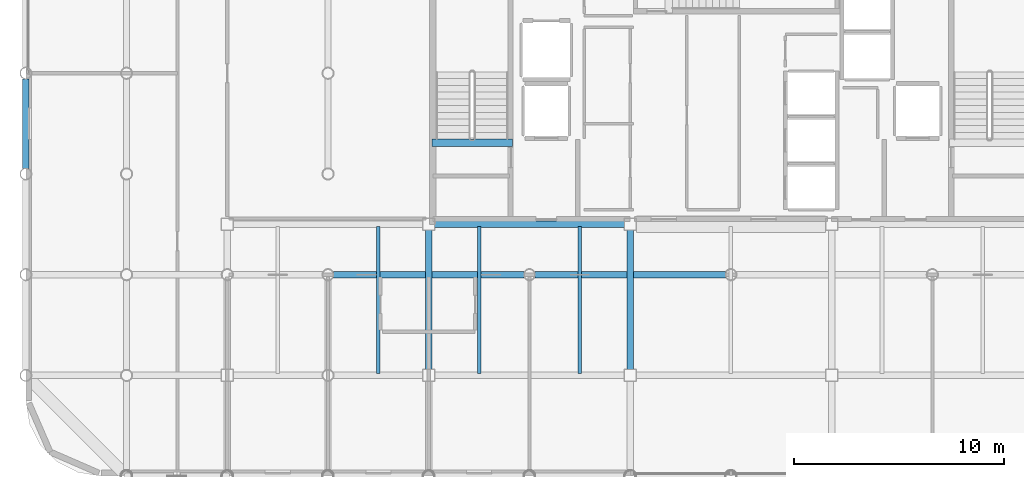
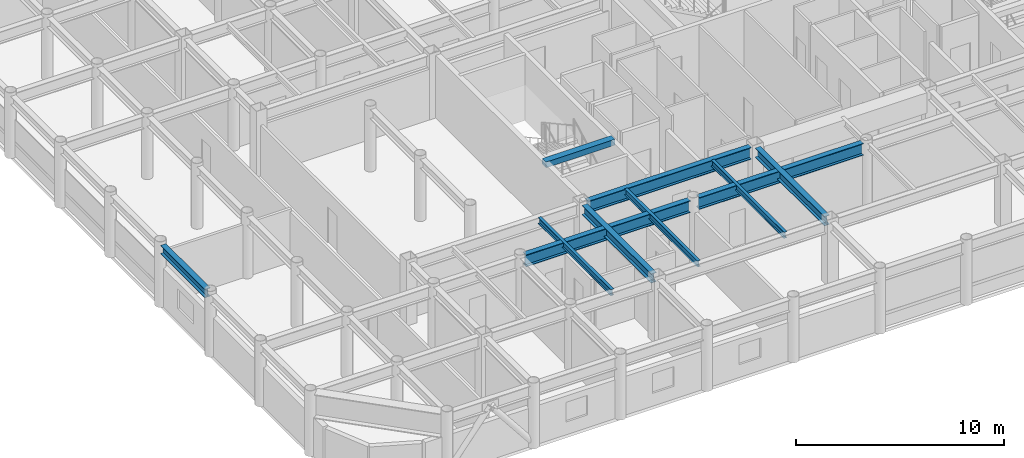
# One storey, part 5 of 22: 10 beams.
"""IFC4 building model written with IfcOpenShell, lengths in metres."""

import ifcopenshell
import ifcopenshell.guid

model = None  # the IFC model being written
_history = None  # IfcOwnerHistory: only IFC2X3 demands one
_inside = {}  # id of a spatial element -> (the spatial element, [elements in it])
_under = {}  # id of a project, library or spatial element -> (it, [spatial elements below it])
_declared = {}  # id of a project -> (the project, [libraries it declares])
_typed = {}  # id of a type object -> (the type object, [elements of that type])
_made_of = {}  # id of a material, layer set ... -> (it, [elements and type objects made of it])


def new_model(schema):
    """Start an empty IFC model of exactly this schema.

    Asked for "IFC4X3", IfcOpenShell would pick the latest addendum, in which some entities
    have other attributes; the version numbers below select the first issue.
    IFC2X3 requires an IfcOwnerHistory on every rooted entity: one is made here for all.
    """
    global model, _history
    if schema == "IFC4X3":
        model = ifcopenshell.file(schema_version=(4, 3, 0, 0))
    else:
        model = ifcopenshell.file(schema=schema)
    _inside.clear()
    _under.clear()
    _declared.clear()
    _typed.clear()
    _made_of.clear()
    _history = None
    if model.schema == "IFC2X3":
        org = make("IfcOrganization", Name="unknown")
        user = make(
            "IfcPersonAndOrganization",
            ThePerson=make("IfcPerson", FamilyName="unknown"),
            TheOrganization=org,
        )
        app = make(
            "IfcApplication",
            ApplicationDeveloper=org,
            Version="unknown",
            ApplicationFullName="unknown",
            ApplicationIdentifier="unknown",
        )
        _history = make(
            "IfcOwnerHistory",
            OwningUser=user,
            OwningApplication=app,
            ChangeAction="ADDED",
            CreationDate=0,
        )
    return model


def make(cls, **values):
    """One entity of the class cls with the attributes given. An attribute that is None is left unset."""
    return model.create_entity(
        cls, **{name: value for name, value in values.items() if value is not None}
    )


def rooted(cls, **values):
    """An entity with a GlobalId (a new one), such as an element, a storey or a relation."""
    return make(cls, GlobalId=ifcopenshell.guid.new(), OwnerHistory=_history, **values)


def si_unit(unit_type, name, prefix=None):
    """IfcSIUnit, for example si_unit("LENGTHUNIT", "METRE", prefix="MILLI")."""
    return make("IfcSIUnit", UnitType=unit_type, Prefix=prefix, Name=name)


def assignment(units):
    """IfcUnitAssignment: the units of a project."""
    return None if units is None else make("IfcUnitAssignment", Units=units)


def point(xyz):
    """IfcCartesianPoint."""
    return None if xyz is None else make("IfcCartesianPoint", Coordinates=xyz)


def direction(xyz):
    """IfcDirection."""
    return None if xyz is None else make("IfcDirection", DirectionRatios=xyz)


def frame(location, z_axis=None, x_axis=None):
    """IfcAxis2Placement3D, a coordinate frame: its origin and axes. An axis left out is left unset."""
    return make(
        "IfcAxis2Placement3D",
        Location=point(location),
        Axis=direction(z_axis),
        RefDirection=direction(x_axis),
    )


def frame_2d(location, x_axis=None):
    """IfcAxis2Placement2D, a coordinate frame in the plane: its origin and x axis."""
    return make(
        "IfcAxis2Placement2D", Location=point(location), RefDirection=direction(x_axis)
    )


def origin():
    """The frame at (0, 0, 0) with its axes left unset."""
    return frame((0.0, 0.0, 0.0))


def origin_2d():
    """The frame at (0, 0) in the plane with its x axis left unset."""
    return frame_2d((0.0, 0.0))


def place(relative_to, where):
    """IfcLocalPlacement: puts the frame where relative to a parent placement (None: the world)."""
    return make(
        "IfcLocalPlacement", PlacementRelTo=relative_to, RelativePlacement=where
    )


def context(
    kind, dimensions, precision=None, world=None, true_north=None, identifier=None
):
    """IfcGeometricRepresentationContext, for example the 3D "Model" context."""
    return make(
        "IfcGeometricRepresentationContext",
        ContextIdentifier=identifier,
        ContextType=kind,
        CoordinateSpaceDimension=dimensions,
        Precision=precision,
        WorldCoordinateSystem=world,
        TrueNorth=true_north,
    )


def subcontext(parent, identifier, kind, view, scale=None):
    """IfcGeometricRepresentationSubContext, for example "Body" below "Model"."""
    return make(
        "IfcGeometricRepresentationSubContext",
        ContextIdentifier=identifier,
        ContextType=kind,
        ParentContext=parent,
        TargetScale=scale,
        TargetView=view,
    )


def project(units=None, contexts=None):
    """IfcProject with its units and contexts."""
    return rooted(
        "IfcProject",
        Name="project",
        RepresentationContexts=contexts,
        UnitsInContext=assignment(units),
    )


def spatial(cls, under=None, at=None, **own):
    """A site, building, storey or space (cls), placed at a placement, below another one or the project."""
    s = rooted(cls, ObjectPlacement=at, **own)
    if under is not None:
        _under.setdefault(under.id(), (under, []))[1].append(s)
    return s


def profile(cls, at=None, kind="AREA", **sizes):
    """A parametric profile (cls). Its sizes go by their IFC names, for example OverallWidth=200.0."""
    return make(cls, ProfileType=kind, Position=at, **sizes)


def rectangle(**sizes):
    """IfcRectangleProfileDef."""
    return profile("IfcRectangleProfileDef", **sizes)


def i_section(**sizes):
    """IfcIShapeProfileDef."""
    return profile("IfcIShapeProfileDef", **sizes)


def extrude(swept, where, along, depth):
    """IfcExtrudedAreaSolid: the profile swept, set in the frame where, extruded along a direction by depth."""
    return make(
        "IfcExtrudedAreaSolid",
        SweptArea=swept,
        Position=where,
        ExtrudedDirection=direction(along),
        Depth=depth,
    )


def shape(context_of_items, identifier, shape_type, items):
    """IfcShapeRepresentation: the items that make up one representation, for example the "Body"."""
    return make(
        "IfcShapeRepresentation",
        ContextOfItems=context_of_items,
        RepresentationIdentifier=identifier,
        RepresentationType=shape_type,
        Items=items,
    )


def material(Name=None, Category=None):
    """IfcMaterial."""
    return make("IfcMaterial", Name=Name, Category=Category)


def material_profile(
    of_material, cross_section, Name=None, Category=None, Priority=None
):
    """IfcMaterialProfile: a cross section and its material."""
    return make(
        "IfcMaterialProfile",
        Name=Name,
        Material=of_material,
        Profile=cross_section,
        Priority=Priority,
        Category=Category,
    )


def profile_set(profiles, Name=None, composite=None):
    """IfcMaterialProfileSet."""
    return make(
        "IfcMaterialProfileSet",
        Name=Name,
        MaterialProfiles=profiles,
        CompositeProfile=composite,
    )


def made_of(thing, what):
    """Note that an element or type object is made of a material, layer set ...; save() writes the relation."""
    if what is not None:
        _made_of.setdefault(what.id(), (what, []))[1].append(thing)
    return thing


def type_object(cls, material=None, **own):
    """A type object (cls), such as IfcWallType, which elements share."""
    return made_of(rooted(cls, **own), material)


def element(
    cls,
    number,
    at=None,
    inside=None,
    cuts=None,
    type_object=None,
    material=None,
    context=None,
    identifier="Body",
    shape_type=None,
    held_by="IfcProductDefinitionShape",
    body=None,
    shapes=None,
    **own,
):
    """One element of the class cls, such as IfcWall. Its Tag is "e" and its number.

    at: its placement. inside: the storey or other place that contains it. cuts: it is an
    opening in that element (IfcRelVoidsElement). A single representation is given by context,
    identifier, shape_type and body (its items); several are given by shapes. held_by: the class
    of the entity that holds the representations. save() writes the other relations.
    """
    e = rooted(cls, Tag="e%d" % number, ObjectPlacement=at, **own)
    if body is not None:
        shapes = [shape(context, identifier, shape_type, body)]
    if shapes is not None:
        e.Representation = make(held_by, Representations=shapes)
    if inside is not None:
        _inside.setdefault(inside.id(), (inside, []))[1].append(e)
    if cuts is not None:
        rooted(
            "IfcRelVoidsElement", RelatingBuildingElement=cuts, RelatedOpeningElement=e
        )
    if type_object is not None:
        _typed.setdefault(type_object.id(), (type_object, []))[1].append(e)
    return made_of(e, material)


def aggregate(whole, parts):
    """IfcRelAggregates: a whole, such as a stair, and the parts it consists of."""
    return rooted("IfcRelAggregates", RelatingObject=whole, RelatedObjects=parts)


def save(model, path):
    """Write the relations noted so far, then the file.

    IfcRelAggregates (storeys below a building ...), IfcRelContainedInSpatialStructure (elements
    in a storey), IfcRelDefinesByType, IfcRelAssociatesMaterial and IfcRelDeclares: one each for
    every whole, place, type object, material and project.
    """
    for whole, parts in _under.values():
        aggregate(whole, parts)
    for where, things in _inside.values():
        rooted(
            "IfcRelContainedInSpatialStructure",
            RelatedElements=things,
            RelatingStructure=where,
        )
    for kind, things in _typed.values():
        rooted("IfcRelDefinesByType", RelatedObjects=things, RelatingType=kind)
    for what, things in _made_of.values():
        rooted("IfcRelAssociatesMaterial", RelatedObjects=things, RelatingMaterial=what)
    for by, libraries in _declared.values():
        rooted("IfcRelDeclares", RelatingContext=by, RelatedDefinitions=libraries)
    model.write(path)


model = new_model("IFC4")

# Units and contexts
model_context = context("Model", 3, precision=1e-05, world=origin(), true_north=direction((0.0, 1.0)))
body_context = subcontext(model_context, "Body", "Model", "MODEL_VIEW")
ifc_project = project(units=[si_unit("LENGTHUNIT", "METRE"), si_unit("AREAUNIT", "SQUARE_METRE"), si_unit("VOLUMEUNIT", "CUBIC_METRE"), si_unit("PLANEANGLEUNIT", "RADIAN"), si_unit("MASSUNIT", "GRAM", prefix="KILO")], contexts=[model_context])

# Site, building, storey
site_placement = place(None, origin())
site = spatial("IfcSite", under=ifc_project, at=site_placement, CompositionType="ELEMENT")
building_placement = place(site_placement, origin())
building = spatial("IfcBuilding", under=site, at=building_placement, Name="Kallvorn Hotel Tower", CompositionType="ELEMENT")
storey_placement = place(building_placement, frame((0.0, 0.0, 264.64990234375)))
storey = spatial("IfcBuildingStorey", under=building, at=storey_placement, Name="L66", CompositionType="ELEMENT", Elevation=264.64990234375)

# Beams
ifc_material_1 = material(Name="Structural steel S355JR", Category="steel")
ifc_material_profile_1 = material_profile(ifc_material_1, i_section(OverallWidth=0.300048828125, OverallDepth=0.5, WebThickness=0.014404296875, FlangeThickness=0.028076171875, at=origin_2d()), Name="HE 500 B")
ifc_profile_set_1 = profile_set([ifc_material_profile_1], Name="Structural steel S355JR")
beam_type_1 = type_object("IfcBeamType", Name="BM_HE500B", PredefinedType="SPANDREL", material=ifc_profile_set_1)
beam_1_placement = place(storey_placement, frame((-33.60009765625, -4.530517578125, 3.420166015625), z_axis=(0.0, 1.0, 0.0), x_axis=(-1.0, 0.0, 0.0)))
element("IfcBeam", 1, at=beam_1_placement, inside=storey, type_object=beam_type_1, Name="L67 Perimeter Spandrel 176", PredefinedType="SPANDREL", context=body_context, shape_type="SweptSolid", body=[
    extrude(i_section(OverallWidth=0.300048828125, OverallDepth=0.5, WebThickness=0.014404296875, FlangeThickness=0.028076171875, at=origin_2d()), origin(), (0.0, 0.0, 1.0), 4.260986328125),
])
ifc_material_2 = material(Name="Structural steel S355JR", Category="steel")
ifc_material_profile_2 = material_profile(ifc_material_2, i_section(OverallWidth=0.300048828125, OverallDepth=0.550048828125, WebThickness=0.014892578125, FlangeThickness=0.029052734375, at=origin_2d()), Name="HE 550 B")
ifc_profile_set_2 = profile_set([ifc_material_profile_2], Name="Structural steel S355JR")
beam_type_2 = type_object("IfcBeamType", Name="BM_HE550B", PredefinedType="SPANDREL", material=ifc_profile_set_2)
for number, where, z_axis, x_axis, name in (
    (2, (-14.39990234375, -14.125, 3.39501953125), (0.0, 1.0, 0.0), (-1.0, 0.0, 0.0), "L67 Primary Y-Girder 99"),
    (3, (-4.800048828125, -14.125, 3.39501953125), (0.0, 1.0, 0.0), (-1.0, 0.0, 0.0), "L67 Primary Y-Girder 107"),
):
    element("IfcBeam", number, at=place(storey_placement, frame(where, z_axis=z_axis, x_axis=x_axis)), inside=storey, type_object=beam_type_2, Name=name, PredefinedType="SPANDREL", context=body_context, shape_type="SweptSolid", body=[
        extrude(i_section(OverallWidth=0.300048828125, OverallDepth=0.550048828125, WebThickness=0.014892578125, FlangeThickness=0.029052734375, at=origin_2d()), origin(), (0.0, 0.0, 1.0), 6.64990234375),
    ])
ifc_material_3 = material(Name="Structural steel S355JR", Category="steel")
ifc_material_profile_3 = material_profile(ifc_material_3, i_section(OverallWidth=0.300048828125, OverallDepth=0.699951171875, WebThickness=0.01708984375, FlangeThickness=0.031982421875, at=origin_2d()), Name="HE 700 B")
ifc_profile_set_3 = profile_set([ifc_material_profile_3], Name="Structural steel S355JR")
beam_type_3 = type_object("IfcBeamType", Name="BM_HE700B", PredefinedType="BEAM", material=ifc_profile_set_3)
for number, where, z_axis, x_axis, name in (
    (4, (-18.945556640625, -9.60009765625, 3.320068359375), (1.0, 0.0, 0.0), (0.0, 1.0, 0.0), "L67 Primary X-Girder 26"),
    (5, (-9.345458984375, -9.60009765625, 3.320068359375), (1.0, 0.0, 0.0), (0.0, 1.0, 0.0), "L67 Primary X-Girder 27"),
):
    element("IfcBeam", number, at=place(storey_placement, frame(where, z_axis=z_axis, x_axis=x_axis)), inside=storey, type_object=beam_type_3, Name=name, PredefinedType="BEAM", context=body_context, shape_type="SweptSolid", body=[
        extrude(i_section(OverallWidth=0.300048828125, OverallDepth=0.699951171875, WebThickness=0.01708984375, FlangeThickness=0.031982421875, at=origin_2d()), origin(), (0.0, 0.0, 1.0), 9.091064453125),
    ])
beam_2_placement = place(storey_placement, frame((-14.125, -7.199951171875, 3.320068359375), z_axis=(1.0, 0.0, 0.0), x_axis=(0.0, 1.0, 0.0)))
element("IfcBeam", 6, at=beam_2_placement, inside=storey, type_object=beam_type_3, Name="L67 Primary X-Girder 33", PredefinedType="BEAM", context=body_context, shape_type="SweptSolid", body=[
    extrude(i_section(OverallWidth=0.300048828125, OverallDepth=0.699951171875, WebThickness=0.01708984375, FlangeThickness=0.031982421875, at=origin_2d()), origin(), (0.0, 0.0, 1.0), 9.050048828125),
])
ifc_material_4 = material(Name="Structural steel S355JR", Category="steel")
ifc_material_profile_4 = material_profile(ifc_material_4, i_section(OverallWidth=0.169921875, OverallDepth=0.360107421875, WebThickness=0.008056640625, FlangeThickness=0.0126953125, at=origin_2d()), Name="IPE 360")
ifc_profile_set_4 = profile_set([ifc_material_profile_4], Name="Structural steel S355JR")
beam_type_4 = type_object("IfcBeamType", Name="BM_IPE360", PredefinedType="JOIST", material=ifc_profile_set_4)
for number, where, z_axis, x_axis, name in (
    (7, (-16.800048828125, -14.300048828125, 3.489990234375), (0.0, 1.0, 0.0), (-1.0, 0.0, 0.0), "L67 Secondary Composite Joist 194"),
    (8, (-12.0, -14.300048828125, 3.489990234375), (0.0, 1.0, 0.0), (-1.0, 0.0, 0.0), "L67 Secondary Composite Joist 196"),
    (9, (-7.199951171875, -14.300048828125, 3.489990234375), (0.0, 1.0, 0.0), (-1.0, 0.0, 0.0), "L67 Secondary Composite Joist 198"),
):
    element("IfcBeam", number, at=place(storey_placement, frame(where, z_axis=z_axis, x_axis=x_axis)), inside=storey, type_object=beam_type_4, Name=name, PredefinedType="JOIST", context=body_context, shape_type="SweptSolid", body=[
        extrude(i_section(OverallWidth=0.169921875, OverallDepth=0.360107421875, WebThickness=0.008056640625, FlangeThickness=0.0126953125, at=origin_2d()), origin(), (0.0, 0.0, 1.0), 7.0),
    ])
ifc_material_5 = material(Name="Concrete C50/60", Category="concrete")
ifc_material_profile_5 = material_profile(ifc_material_5, rectangle(XDim=0.360107421875, YDim=0.340087890625, at=origin_2d()), Name="RC 360x340")
ifc_profile_set_5 = profile_set([ifc_material_profile_5], Name="Concrete C50/60")
beam_type_5 = type_object("IfcBeamType", Name="BM_RC_400x360", PredefinedType="BEAM", material=ifc_profile_set_5)
beam_3_placement = place(storey_placement, frame((-10.419921875, -3.31005859375, 3.5), z_axis=(-1.0, 0.0, 0.0), x_axis=(0.0, -1.0, 0.0)))
element("IfcBeam", 10, at=beam_3_placement, inside=storey, type_object=beam_type_5, Name="L67 Stair ST1 Arrival Trimmer Beam", PredefinedType="BEAM", context=body_context, shape_type="SweptSolid", body=[
    extrude(rectangle(XDim=0.360107421875, YDim=0.340087890625, at=origin_2d()), origin(), (0.0, 0.0, 1.0), 3.820068359375),
])

save(model, "model.ifc")
